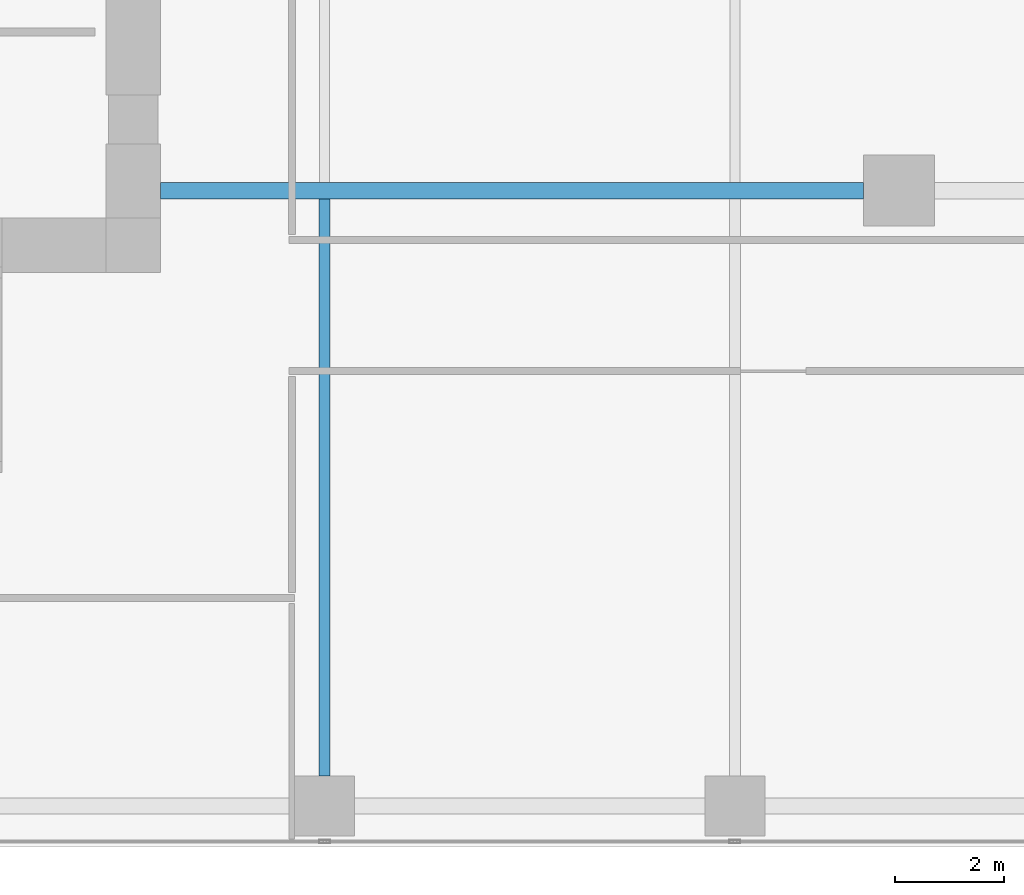
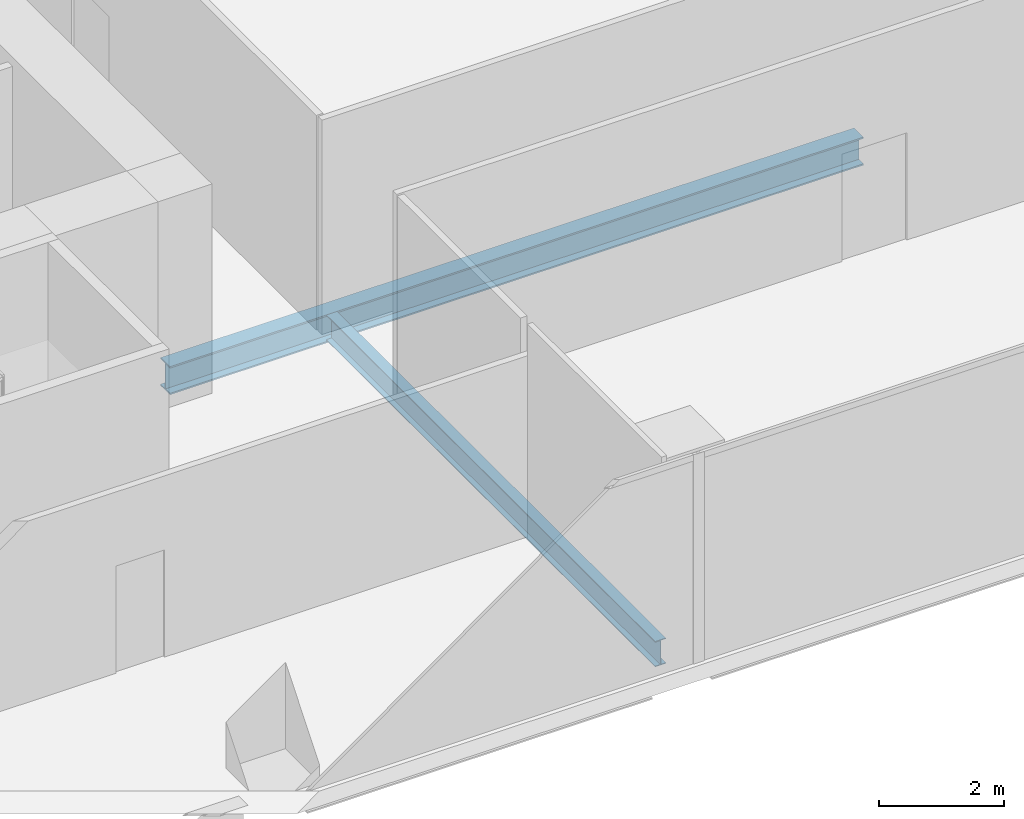
# One storey, part 6 of 33: 2 beams.
"""IFC4 building model written with IfcOpenShell, lengths in metres."""

import ifcopenshell
import ifcopenshell.guid

model = None  # the IFC model being written
_history = None  # IfcOwnerHistory: only IFC2X3 demands one
_inside = {}  # id of a spatial element -> (the spatial element, [elements in it])
_under = {}  # id of a project, library or spatial element -> (it, [spatial elements below it])
_declared = {}  # id of a project -> (the project, [libraries it declares])
_typed = {}  # id of a type object -> (the type object, [elements of that type])
_made_of = {}  # id of a material, layer set ... -> (it, [elements and type objects made of it])


def new_model(schema):
    """Start an empty IFC model of exactly this schema.

    Asked for "IFC4X3", IfcOpenShell would pick the latest addendum, in which some entities
    have other attributes; the version numbers below select the first issue.
    IFC2X3 requires an IfcOwnerHistory on every rooted entity: one is made here for all.
    """
    global model, _history
    if schema == "IFC4X3":
        model = ifcopenshell.file(schema_version=(4, 3, 0, 0))
    else:
        model = ifcopenshell.file(schema=schema)
    _inside.clear()
    _under.clear()
    _declared.clear()
    _typed.clear()
    _made_of.clear()
    _history = None
    if model.schema == "IFC2X3":
        org = make("IfcOrganization", Name="unknown")
        user = make(
            "IfcPersonAndOrganization",
            ThePerson=make("IfcPerson", FamilyName="unknown"),
            TheOrganization=org,
        )
        app = make(
            "IfcApplication",
            ApplicationDeveloper=org,
            Version="unknown",
            ApplicationFullName="unknown",
            ApplicationIdentifier="unknown",
        )
        _history = make(
            "IfcOwnerHistory",
            OwningUser=user,
            OwningApplication=app,
            ChangeAction="ADDED",
            CreationDate=0,
        )
    return model


def make(cls, **values):
    """One entity of the class cls with the attributes given. An attribute that is None is left unset."""
    return model.create_entity(
        cls, **{name: value for name, value in values.items() if value is not None}
    )


def rooted(cls, **values):
    """An entity with a GlobalId (a new one), such as an element, a storey or a relation."""
    return make(cls, GlobalId=ifcopenshell.guid.new(), OwnerHistory=_history, **values)


def si_unit(unit_type, name, prefix=None):
    """IfcSIUnit, for example si_unit("LENGTHUNIT", "METRE", prefix="MILLI")."""
    return make("IfcSIUnit", UnitType=unit_type, Prefix=prefix, Name=name)


def assignment(units):
    """IfcUnitAssignment: the units of a project."""
    return None if units is None else make("IfcUnitAssignment", Units=units)


def point(xyz):
    """IfcCartesianPoint."""
    return None if xyz is None else make("IfcCartesianPoint", Coordinates=xyz)


def direction(xyz):
    """IfcDirection."""
    return None if xyz is None else make("IfcDirection", DirectionRatios=xyz)


def frame(location, z_axis=None, x_axis=None):
    """IfcAxis2Placement3D, a coordinate frame: its origin and axes. An axis left out is left unset."""
    return make(
        "IfcAxis2Placement3D",
        Location=point(location),
        Axis=direction(z_axis),
        RefDirection=direction(x_axis),
    )


def frame_2d(location, x_axis=None):
    """IfcAxis2Placement2D, a coordinate frame in the plane: its origin and x axis."""
    return make(
        "IfcAxis2Placement2D", Location=point(location), RefDirection=direction(x_axis)
    )


def origin():
    """The frame at (0, 0, 0) with its axes left unset."""
    return frame((0.0, 0.0, 0.0))


def origin_2d():
    """The frame at (0, 0) in the plane with its x axis left unset."""
    return frame_2d((0.0, 0.0))


def place(relative_to, where):
    """IfcLocalPlacement: puts the frame where relative to a parent placement (None: the world)."""
    return make(
        "IfcLocalPlacement", PlacementRelTo=relative_to, RelativePlacement=where
    )


def context(
    kind, dimensions, precision=None, world=None, true_north=None, identifier=None
):
    """IfcGeometricRepresentationContext, for example the 3D "Model" context."""
    return make(
        "IfcGeometricRepresentationContext",
        ContextIdentifier=identifier,
        ContextType=kind,
        CoordinateSpaceDimension=dimensions,
        Precision=precision,
        WorldCoordinateSystem=world,
        TrueNorth=true_north,
    )


def subcontext(parent, identifier, kind, view, scale=None):
    """IfcGeometricRepresentationSubContext, for example "Body" below "Model"."""
    return make(
        "IfcGeometricRepresentationSubContext",
        ContextIdentifier=identifier,
        ContextType=kind,
        ParentContext=parent,
        TargetScale=scale,
        TargetView=view,
    )


def project(units=None, contexts=None):
    """IfcProject with its units and contexts."""
    return rooted(
        "IfcProject",
        Name="project",
        RepresentationContexts=contexts,
        UnitsInContext=assignment(units),
    )


def spatial(cls, under=None, at=None, **own):
    """A site, building, storey or space (cls), placed at a placement, below another one or the project."""
    s = rooted(cls, ObjectPlacement=at, **own)
    if under is not None:
        _under.setdefault(under.id(), (under, []))[1].append(s)
    return s


def profile(cls, at=None, kind="AREA", **sizes):
    """A parametric profile (cls). Its sizes go by their IFC names, for example OverallWidth=200.0."""
    return make(cls, ProfileType=kind, Position=at, **sizes)


def i_section(**sizes):
    """IfcIShapeProfileDef."""
    return profile("IfcIShapeProfileDef", **sizes)


def extrude(swept, where, along, depth):
    """IfcExtrudedAreaSolid: the profile swept, set in the frame where, extruded along a direction by depth."""
    return make(
        "IfcExtrudedAreaSolid",
        SweptArea=swept,
        Position=where,
        ExtrudedDirection=direction(along),
        Depth=depth,
    )


def shape(context_of_items, identifier, shape_type, items):
    """IfcShapeRepresentation: the items that make up one representation, for example the "Body"."""
    return make(
        "IfcShapeRepresentation",
        ContextOfItems=context_of_items,
        RepresentationIdentifier=identifier,
        RepresentationType=shape_type,
        Items=items,
    )


def source(mapping_origin, context_of_items, identifier, shape_type, items):
    """IfcRepresentationMap: a shape defined once, which mapped items show again and again."""
    return make(
        "IfcRepresentationMap",
        MappingOrigin=mapping_origin,
        MappedRepresentation=shape(context_of_items, identifier, shape_type, items),
    )


def transform(
    local_origin,
    x_axis=None,
    y_axis=None,
    z_axis=None,
    scale=None,
    scale2=None,
    scale3=None,
    uniform=True,
):
    """IfcCartesianTransformationOperator3D, or its non-uniform kind. x_axis, y_axis, z_axis: its Axis1, 2, 3."""
    if uniform:
        return make(
            "IfcCartesianTransformationOperator3D",
            Axis1=direction(x_axis),
            Axis2=direction(y_axis),
            LocalOrigin=point(local_origin),
            Scale=scale,
            Axis3=direction(z_axis),
        )
    return make(
        "IfcCartesianTransformationOperator3DnonUniform",
        Axis1=direction(x_axis),
        Axis2=direction(y_axis),
        LocalOrigin=point(local_origin),
        Scale=scale,
        Axis3=direction(z_axis),
        Scale2=scale2,
        Scale3=scale3,
    )


def mapped(mapping_source, mapping_target):
    """IfcMappedItem: shows the shape of a source again, moved by a transform."""
    return make(
        "IfcMappedItem", MappingSource=mapping_source, MappingTarget=mapping_target
    )


def material(Name=None, Category=None):
    """IfcMaterial."""
    return make("IfcMaterial", Name=Name, Category=Category)


def material_profile(
    of_material, cross_section, Name=None, Category=None, Priority=None
):
    """IfcMaterialProfile: a cross section and its material."""
    return make(
        "IfcMaterialProfile",
        Name=Name,
        Material=of_material,
        Profile=cross_section,
        Priority=Priority,
        Category=Category,
    )


def profile_set(profiles, Name=None, composite=None):
    """IfcMaterialProfileSet."""
    return make(
        "IfcMaterialProfileSet",
        Name=Name,
        MaterialProfiles=profiles,
        CompositeProfile=composite,
    )


def made_of(thing, what):
    """Note that an element or type object is made of a material, layer set ...; save() writes the relation."""
    if what is not None:
        _made_of.setdefault(what.id(), (what, []))[1].append(thing)
    return thing


def type_object(cls, material=None, **own):
    """A type object (cls), such as IfcWallType, which elements share."""
    return made_of(rooted(cls, **own), material)


def element(
    cls,
    number,
    at=None,
    inside=None,
    cuts=None,
    type_object=None,
    material=None,
    context=None,
    identifier="Body",
    shape_type=None,
    held_by="IfcProductDefinitionShape",
    body=None,
    shapes=None,
    **own,
):
    """One element of the class cls, such as IfcWall. Its Tag is "e" and its number.

    at: its placement. inside: the storey or other place that contains it. cuts: it is an
    opening in that element (IfcRelVoidsElement). A single representation is given by context,
    identifier, shape_type and body (its items); several are given by shapes. held_by: the class
    of the entity that holds the representations. save() writes the other relations.
    """
    e = rooted(cls, Tag="e%d" % number, ObjectPlacement=at, **own)
    if body is not None:
        shapes = [shape(context, identifier, shape_type, body)]
    if shapes is not None:
        e.Representation = make(held_by, Representations=shapes)
    if inside is not None:
        _inside.setdefault(inside.id(), (inside, []))[1].append(e)
    if cuts is not None:
        rooted(
            "IfcRelVoidsElement", RelatingBuildingElement=cuts, RelatedOpeningElement=e
        )
    if type_object is not None:
        _typed.setdefault(type_object.id(), (type_object, []))[1].append(e)
    return made_of(e, material)


def aggregate(whole, parts):
    """IfcRelAggregates: a whole, such as a stair, and the parts it consists of."""
    return rooted("IfcRelAggregates", RelatingObject=whole, RelatedObjects=parts)


def save(model, path):
    """Write the relations noted so far, then the file.

    IfcRelAggregates (storeys below a building ...), IfcRelContainedInSpatialStructure (elements
    in a storey), IfcRelDefinesByType, IfcRelAssociatesMaterial and IfcRelDeclares: one each for
    every whole, place, type object, material and project.
    """
    for whole, parts in _under.values():
        aggregate(whole, parts)
    for where, things in _inside.values():
        rooted(
            "IfcRelContainedInSpatialStructure",
            RelatedElements=things,
            RelatingStructure=where,
        )
    for kind, things in _typed.values():
        rooted("IfcRelDefinesByType", RelatedObjects=things, RelatingType=kind)
    for what, things in _made_of.values():
        rooted("IfcRelAssociatesMaterial", RelatedObjects=things, RelatingMaterial=what)
    for by, libraries in _declared.values():
        rooted("IfcRelDeclares", RelatingContext=by, RelatedDefinitions=libraries)
    model.write(path)


model = new_model("IFC4")

# Units and contexts
model_context = context("Model", 3, precision=1e-05, world=origin(), true_north=direction((0.0, 1.0)))
body_context = subcontext(model_context, "Body", "Model", "MODEL_VIEW")
ifc_project = project(units=[si_unit("LENGTHUNIT", "METRE"), si_unit("AREAUNIT", "SQUARE_METRE"), si_unit("VOLUMEUNIT", "CUBIC_METRE"), si_unit("PLANEANGLEUNIT", "RADIAN"), si_unit("MASSUNIT", "GRAM", prefix="KILO")], contexts=[model_context])

# Site, building, storey
site_placement = place(None, origin())
site = spatial("IfcSite", under=ifc_project, at=site_placement, CompositionType="ELEMENT")
building_placement = place(site_placement, origin())
building = spatial("IfcBuilding", under=site, at=building_placement, Name="Khomas Fold Tower", CompositionType="ELEMENT")
storey_placement = place(building_placement, frame((0.0, 0.0, 149.89990234375)))
storey = spatial("IfcBuildingStorey", under=building, at=storey_placement, Name="L32", CompositionType="ELEMENT", Elevation=149.89990234375)

# Beams
ifc_material_1 = material(Name="Steel S355", Category="steel")
ifc_material_profile_1 = material_profile(ifc_material_1, i_section(OverallWidth=0.300048828125, OverallDepth=0.550048828125, WebThickness=0.014892578125, FlangeThickness=0.029052734375, at=origin_2d()), Name="HE 550 B")
ifc_profile_set_1 = profile_set([ifc_material_profile_1], Name="Steel S355")
beam_type_1 = type_object("IfcBeamType", Name="HE 550 B beam GB4", PredefinedType="BEAM", material=ifc_profile_set_1)
shared_shape_1 = source(origin(), body_context, "Body", "SweptSolid", [
    extrude(i_section(OverallWidth=0.300048828125, OverallDepth=0.550048828125, WebThickness=0.014892578125, FlangeThickness=0.029052734375, at=origin_2d()), origin(), (0.0, 0.0, 1.0), 12.85009765625),
])
beam_1_placement = place(storey_placement, frame((24.0, 13.5, -0.574951171875), z_axis=(1.0, 0.0, 0.0), x_axis=(0.0, 1.0, 0.0)))
element("IfcBeam", 1, at=beam_1_placement, inside=storey, type_object=beam_type_1, Name="GB4", PredefinedType="BEAM", context=body_context, shape_type="MappedRepresentation", body=[
    mapped(shared_shape_1, transform((0.0, 0.0, 0.0))),
])
ifc_material_2 = material(Name="Steel S355", Category="steel")
ifc_material_profile_2 = material_profile(ifc_material_2, i_section(OverallWidth=0.199951171875, OverallDepth=0.5, WebThickness=0.01025390625, FlangeThickness=0.01611328125, at=origin_2d()), Name="IPE 500")
ifc_profile_set_2 = profile_set([ifc_material_profile_2], Name="Steel S355")
beam_type_2 = type_object("IfcBeamType", Name="IPE 500 beam JB5", PredefinedType="BEAM", material=ifc_profile_set_2)
shared_shape_2 = source(origin(), body_context, "Body", "SweptSolid", [
    extrude(i_section(OverallWidth=0.199951171875, OverallDepth=0.5, WebThickness=0.01025390625, FlangeThickness=0.01611328125, at=origin_2d()), origin(), (0.0, 0.0, 1.0), 10.550048828125),
])
beam_2_placement = place(storey_placement, frame((27.0, 2.800048828125, -0.5498046875), z_axis=(0.0, 1.0, 0.0), x_axis=(-1.0, 0.0, 0.0)))
element("IfcBeam", 2, at=beam_2_placement, inside=storey, type_object=beam_type_2, Name="JB5", PredefinedType="BEAM", context=body_context, shape_type="MappedRepresentation", body=[
    mapped(shared_shape_2, transform((0.0, 0.0, 0.0))),
])

save(model, "model.ifc")
